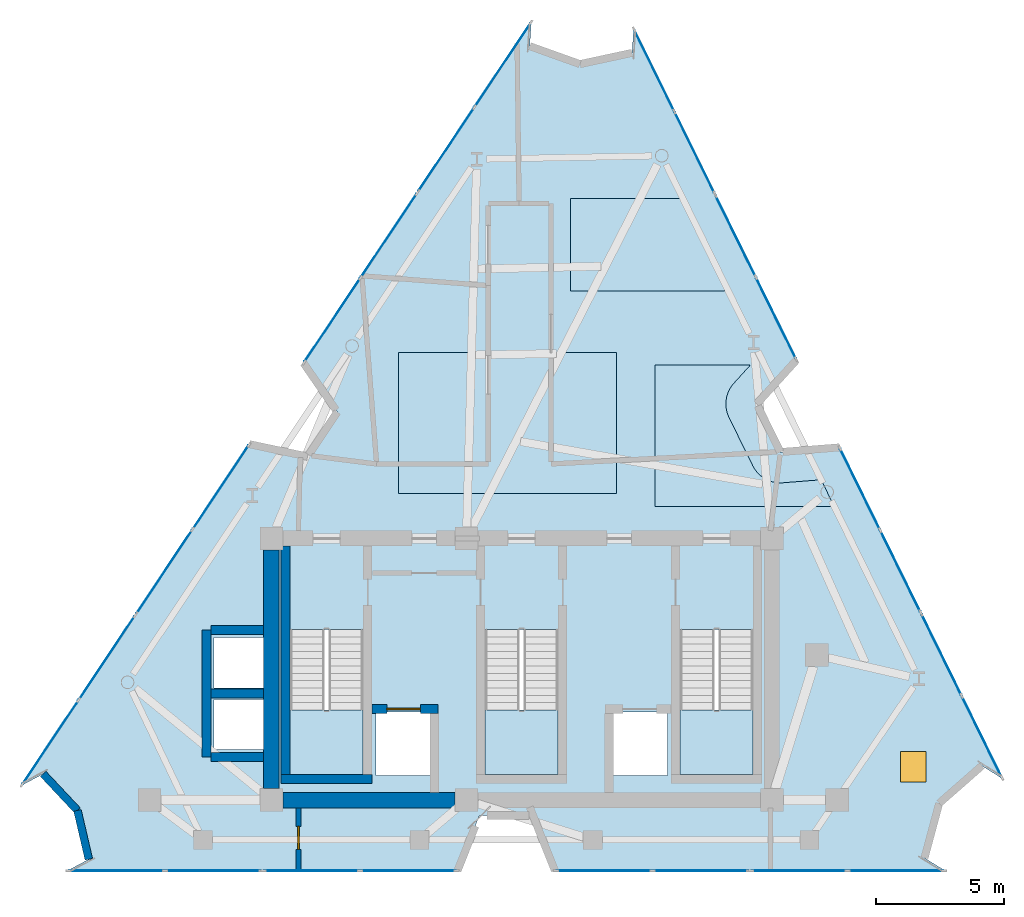
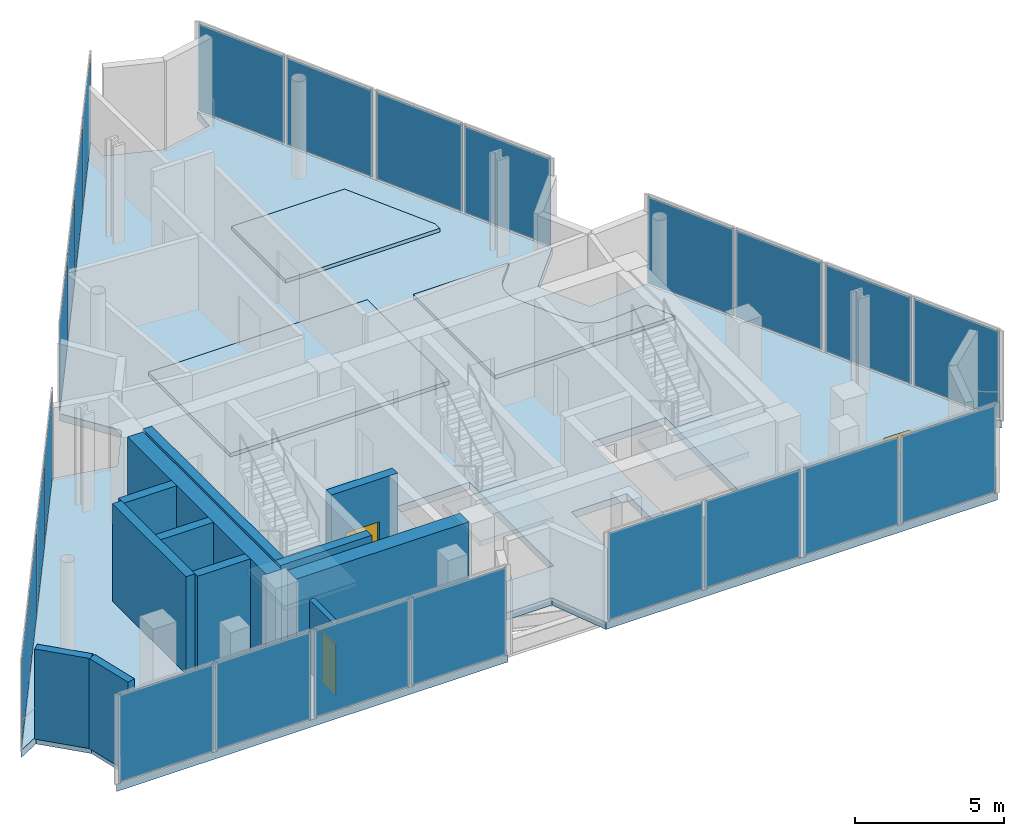
# One storey, part 5 of 9: 24 plates, 12 walls, 7 slabs, 3 doors, 3 openings, 15 elements without a shape of their own.
"""IFC4 building model written with IfcOpenShell, lengths in metres."""

from ifc_helpers import new_model, si_unit, direction, frame, frame_2d, origin, origin_2d, place, context, subcontext, project, spatial, polyline, rectangle, outline, extrude, material, layer, layer_set, type_object, element, fill, aggregate, save


model = new_model("IFC4")

# Units and contexts
model_context = context("Model", 3, precision=1e-05, world=origin(), true_north=direction((0.0, 1.0)))
body_context = subcontext(model_context, "Body", "Model", "MODEL_VIEW")
ifc_project = project(units=[si_unit("LENGTHUNIT", "METRE"), si_unit("AREAUNIT", "SQUARE_METRE"), si_unit("VOLUMEUNIT", "CUBIC_METRE"), si_unit("PLANEANGLEUNIT", "RADIAN"), si_unit("MASSUNIT", "GRAM", prefix="KILO")], contexts=[model_context])

# Site, building, storey
site_placement = place(None, origin())
site = spatial("IfcSite", under=ifc_project, at=site_placement, CompositionType="ELEMENT")
building_placement = place(site_placement, origin())
building = spatial("IfcBuilding", under=site, at=building_placement, Name="Almagre Mirador Tower", CompositionType="ELEMENT")
storey_placement = place(building_placement, frame((0.0, 0.0, 298.5)))
storey = spatial("IfcBuildingStorey", under=building, at=storey_placement, Name="L77", CompositionType="ELEMENT", Elevation=298.5)

# Curtain wall, plates
ifc_material_1 = material(Name="Black anodized aluminium", Category="aluminium")
ifc_layer_1 = layer(ifc_material_1, 0.2099609375)
ifc_layer_set_1 = layer_set([ifc_layer_1], Name="Black anodized aluminium")
curtain_wall_type = type_object("IfcCurtainWallType", Name="CW-CRN-SYS", PredefinedType="NOTDEFINED", material=ifc_layer_set_1)
curtain_wall_1_placement = place(storey_placement, origin())
curtain_wall_1 = element("IfcCurtainWall", 1, at=curtain_wall_1_placement, inside=storey, type_object=curtain_wall_type, Name="L77 curtain wall run 01", PredefinedType="NOTDEFINED")
ifc_material_2 = material(Name="Dark solar-control laminated hurricane glass", Category="glass")
ifc_layer_2 = layer(ifc_material_2, 0.030029296875)
ifc_layer_set_2 = layer_set([ifc_layer_2], Name="Dark solar-control laminated hurricane glass")
plate_type = type_object("IfcPlateType", Name="PLT-SPN-30", PredefinedType="CURTAIN_PANEL", material=ifc_layer_set_2)
plate_1_placement = place(storey_placement, frame((29.924072265625, 23.256103515625, 0.06494140625), z_axis=(0.0, 0.0, 1.0), x_axis=(0.555219875676, 0.831703606854, 0.0)))
plate_1 = element("IfcPlate", 2, at=plate_1_placement, type_object=plate_type, Name="CW-6 panel 1.1", PredefinedType="CURTAIN_PANEL", context=body_context, shape_type="SweptSolid", body=[
    extrude(rectangle(XDim=3.890625, YDim=0.030029296875, at=origin_2d()), origin(), (0.0, 0.0, 1.0), 3.570068359375),
])
plate_2_placement = place(storey_placement, frame((32.123046875, 26.55029296875, 0.06494140625), z_axis=(0.0, 0.0, 1.0), x_axis=(0.555219875676, 0.831703606854, 0.0)))
plate_2 = element("IfcPlate", 3, at=plate_2_placement, type_object=plate_type, Name="CW-6 panel 2.1", PredefinedType="CURTAIN_PANEL", context=body_context, shape_type="SweptSolid", body=[
    extrude(rectangle(XDim=3.890625, YDim=0.030029296875, at=origin_2d()), origin(), (0.0, 0.0, 1.0), 3.570068359375),
])
aggregate(curtain_wall_1, [plate_1, plate_2])

curtain_wall_2_placement = place(storey_placement, origin())
curtain_wall_2 = element("IfcCurtainWall", 4, at=curtain_wall_2_placement, inside=storey, type_object=curtain_wall_type, Name="L77 curtain wall run 02", PredefinedType="NOTDEFINED")
plate_3_placement = place(storey_placement, frame((34.361083984375, 29.902587890625, 0.06494140625), z_axis=(0.0, 0.0, 1.0), x_axis=(0.555219875676, 0.831703606854, 0.0)))
plate_3 = element("IfcPlate", 5, at=plate_3_placement, type_object=plate_type, Name="CW-6 panel 1.1", PredefinedType="CURTAIN_PANEL", context=body_context, shape_type="SweptSolid", body=[
    extrude(rectangle(XDim=3.890625, YDim=0.030029296875, at=origin_2d()), origin(), (0.0, 0.0, 1.0), 3.570068359375),
])
plate_4_placement = place(storey_placement, frame((36.56005859375, 33.19677734375, 0.06494140625), z_axis=(0.0, 0.0, 1.0), x_axis=(0.555219875676, 0.831703606854, 0.0)))
plate_4 = element("IfcPlate", 6, at=plate_4_placement, type_object=plate_type, Name="CW-6 panel 2.1", PredefinedType="CURTAIN_PANEL", context=body_context, shape_type="SweptSolid", body=[
    extrude(rectangle(XDim=3.890625, YDim=0.030029296875, at=origin_2d()), origin(), (0.0, 0.0, 1.0), 3.570068359375),
])
aggregate(curtain_wall_2, [plate_3, plate_4])

curtain_wall_3_placement = place(storey_placement, origin())
curtain_wall_3 = element("IfcCurtainWall", 7, at=curtain_wall_3_placement, inside=storey, type_object=curtain_wall_type, Name="L77 curtain wall run 03", PredefinedType="NOTDEFINED")
plate_5_placement = place(storey_placement, frame((42.466064453125, 32.98193359375, 0.06494140625), z_axis=(0.0, 0.0, 1.0), x_axis=(0.441307723516, -0.897355834196, 0.0)))
plate_5 = element("IfcPlate", 8, at=plate_5_placement, type_object=plate_type, Name="CW-6 panel 1.1", PredefinedType="CURTAIN_PANEL", context=body_context, shape_type="SweptSolid", body=[
    extrude(rectangle(XDim=3.490478515625, YDim=0.030029296875, at=origin_2d()), origin(), (0.0, 0.0, 1.0), 3.570068359375),
])
plate_6_placement = place(storey_placement, frame((44.037353515625, 29.786865234375, 0.06494140625), z_axis=(0.0, 0.0, 1.0), x_axis=(0.441307723516, -0.897355834196, 0.0)))
plate_6 = element("IfcPlate", 9, at=plate_6_placement, type_object=plate_type, Name="CW-6 panel 2.1", PredefinedType="CURTAIN_PANEL", context=body_context, shape_type="SweptSolid", body=[
    extrude(rectangle(XDim=3.490478515625, YDim=0.030029296875, at=origin_2d()), origin(), (0.0, 0.0, 1.0), 3.570068359375),
])
aggregate(curtain_wall_3, [plate_5, plate_6])

curtain_wall_4_placement = place(storey_placement, origin())
curtain_wall_4 = element("IfcCurtainWall", 10, at=curtain_wall_4_placement, inside=storey, type_object=curtain_wall_type, Name="L77 curtain wall run 04", PredefinedType="NOTDEFINED")
plate_7_placement = place(storey_placement, frame((45.6396484375, 26.529052734375, 0.06494140625), z_axis=(0.0, 0.0, 1.0), x_axis=(0.441307723516, -0.897355834196, 0.0)))
plate_7 = element("IfcPlate", 11, at=plate_7_placement, type_object=plate_type, Name="CW-6 panel 1.1", PredefinedType="CURTAIN_PANEL", context=body_context, shape_type="SweptSolid", body=[
    extrude(rectangle(XDim=3.490478515625, YDim=0.030029296875, at=origin_2d()), origin(), (0.0, 0.0, 1.0), 3.570068359375),
])
plate_8_placement = place(storey_placement, frame((47.2109375, 23.333984375, 0.06494140625), z_axis=(0.0, 0.0, 1.0), x_axis=(0.441307723516, -0.897355834196, 0.0)))
plate_8 = element("IfcPlate", 12, at=plate_8_placement, type_object=plate_type, Name="CW-6 panel 2.1", PredefinedType="CURTAIN_PANEL", context=body_context, shape_type="SweptSolid", body=[
    extrude(rectangle(XDim=3.490478515625, YDim=0.030029296875, at=origin_2d()), origin(), (0.0, 0.0, 1.0), 3.570068359375),
])
aggregate(curtain_wall_4, [plate_7, plate_8])

curtain_wall_5_placement = place(storey_placement, origin())
curtain_wall_5 = element("IfcCurtainWall", 13, at=curtain_wall_5_placement, inside=storey, type_object=curtain_wall_type, Name="L77 curtain wall run 05", PredefinedType="NOTDEFINED")
plate_9_placement = place(storey_placement, frame((50.489013671875, 16.666015625, 0.06494140625), z_axis=(0.0, 0.0, 1.0), x_axis=(0.441307723516, -0.897355834196, 0.0)))
plate_9 = element("IfcPlate", 14, at=plate_9_placement, type_object=plate_type, Name="CW-6 panel 1.1", PredefinedType="CURTAIN_PANEL", context=body_context, shape_type="SweptSolid", body=[
    extrude(rectangle(XDim=3.490478515625, YDim=0.030029296875, at=origin_2d()), origin(), (0.0, 0.0, 1.0), 3.570068359375),
])
plate_10_placement = place(storey_placement, frame((52.060302734375, 13.470947265625, 0.06494140625), z_axis=(0.0, 0.0, 1.0), x_axis=(0.441307723516, -0.897355834196, 0.0)))
plate_10 = element("IfcPlate", 15, at=plate_10_placement, type_object=plate_type, Name="CW-6 panel 2.1", PredefinedType="CURTAIN_PANEL", context=body_context, shape_type="SweptSolid", body=[
    extrude(rectangle(XDim=3.490478515625, YDim=0.030029296875, at=origin_2d()), origin(), (0.0, 0.0, 1.0), 3.570068359375),
])
aggregate(curtain_wall_5, [plate_9, plate_10])

curtain_wall_6_placement = place(storey_placement, origin())
curtain_wall_6 = element("IfcCurtainWall", 16, at=curtain_wall_6_placement, inside=storey, type_object=curtain_wall_type, Name="L77 curtain wall run 06", PredefinedType="NOTDEFINED")
plate_11_placement = place(storey_placement, frame((53.66259765625, 10.213134765625, 0.06494140625), z_axis=(0.0, 0.0, 1.0), x_axis=(0.441307723516, -0.897355834196, 0.0)))
plate_11 = element("IfcPlate", 17, at=plate_11_placement, type_object=plate_type, Name="CW-6 panel 1.1", PredefinedType="CURTAIN_PANEL", context=body_context, shape_type="SweptSolid", body=[
    extrude(rectangle(XDim=3.490478515625, YDim=0.030029296875, at=origin_2d()), origin(), (0.0, 0.0, 1.0), 3.570068359375),
])
plate_12_placement = place(storey_placement, frame((55.23388671875, 7.01806640625, 0.06494140625), z_axis=(0.0, 0.0, 1.0), x_axis=(0.441307723516, -0.897355834196, 0.0)))
plate_12 = element("IfcPlate", 18, at=plate_12_placement, type_object=plate_type, Name="CW-6 panel 2.1", PredefinedType="CURTAIN_PANEL", context=body_context, shape_type="SweptSolid", body=[
    extrude(rectangle(XDim=3.490478515625, YDim=0.030029296875, at=origin_2d()), origin(), (0.0, 0.0, 1.0), 3.570068359375),
])
aggregate(curtain_wall_6, [plate_11, plate_12])

curtain_wall_7_placement = place(storey_placement, origin())
curtain_wall_7 = element("IfcCurtainWall", 19, at=curtain_wall_7_placement, inside=storey, type_object=curtain_wall_type, Name="L77 curtain wall run 07", PredefinedType="NOTDEFINED")
plate_13_placement = place(storey_placement, frame((51.882568359375, 1.800048828125, 0.06494140625), z_axis=(0.0, 0.0, 1.0), x_axis=(-1.0, 0.0, 0.0)))
plate_13 = element("IfcPlate", 20, at=plate_13_placement, type_object=plate_type, Name="CW-6 panel 1.1", PredefinedType="CURTAIN_PANEL", context=body_context, shape_type="SweptSolid", body=[
    extrude(rectangle(XDim=3.695068359375, YDim=0.030029296875, at=origin_2d()), origin(), (0.0, 0.0, 1.0), 3.570068359375),
])
plate_14_placement = place(storey_placement, frame((48.117431640625, 1.800048828125, 0.06494140625), z_axis=(0.0, 0.0, 1.0), x_axis=(-1.0, 0.0, 0.0)))
plate_14 = element("IfcPlate", 21, at=plate_14_placement, type_object=plate_type, Name="CW-6 panel 2.1", PredefinedType="CURTAIN_PANEL", context=body_context, shape_type="SweptSolid", body=[
    extrude(rectangle(XDim=3.695068359375, YDim=0.030029296875, at=origin_2d()), origin(), (0.0, 0.0, 1.0), 3.570068359375),
])
aggregate(curtain_wall_7, [plate_13, plate_14])

curtain_wall_8_placement = place(storey_placement, origin())
curtain_wall_8 = element("IfcCurtainWall", 22, at=curtain_wall_8_placement, inside=storey, type_object=curtain_wall_type, Name="L77 curtain wall run 08", PredefinedType="NOTDEFINED")
plate_15_placement = place(storey_placement, frame((44.282470703125, 1.800048828125, 0.06494140625), z_axis=(0.0, 0.0, 1.0), x_axis=(-1.0, 0.0, 0.0)))
plate_15 = element("IfcPlate", 23, at=plate_15_placement, type_object=plate_type, Name="CW-6 panel 1.1", PredefinedType="CURTAIN_PANEL", context=body_context, shape_type="SweptSolid", body=[
    extrude(rectangle(XDim=3.695068359375, YDim=0.030029296875, at=origin_2d()), origin(), (0.0, 0.0, 1.0), 3.570068359375),
])
plate_16_placement = place(storey_placement, frame((40.517578125, 1.800048828125, 0.06494140625), z_axis=(0.0, 0.0, 1.0), x_axis=(-1.0, 0.0, 0.0)))
plate_16 = element("IfcPlate", 24, at=plate_16_placement, type_object=plate_type, Name="CW-6 panel 2.1", PredefinedType="CURTAIN_PANEL", context=body_context, shape_type="SweptSolid", body=[
    extrude(rectangle(XDim=3.695068359375, YDim=0.030029296875, at=origin_2d()), origin(), (0.0, 0.0, 1.0), 3.570068359375),
])
aggregate(curtain_wall_8, [plate_15, plate_16])

curtain_wall_9_placement = place(storey_placement, origin())
curtain_wall_9 = element("IfcCurtainWall", 25, at=curtain_wall_9_placement, inside=storey, type_object=curtain_wall_type, Name="L77 curtain wall run 09", PredefinedType="NOTDEFINED")
plate_17_placement = place(storey_placement, frame((32.882568359375, 1.800048828125, 0.06494140625), z_axis=(0.0, 0.0, 1.0), x_axis=(-1.0, 0.0, 0.0)))
plate_17 = element("IfcPlate", 26, at=plate_17_placement, type_object=plate_type, Name="CW-6 panel 1.1", PredefinedType="CURTAIN_PANEL", context=body_context, shape_type="SweptSolid", body=[
    extrude(rectangle(XDim=3.695068359375, YDim=0.030029296875, at=origin_2d()), origin(), (0.0, 0.0, 1.0), 3.570068359375),
])
plate_18_placement = place(storey_placement, frame((29.117431640625, 1.800048828125, 0.06494140625), z_axis=(0.0, 0.0, 1.0), x_axis=(-1.0, 0.0, 0.0)))
plate_18 = element("IfcPlate", 27, at=plate_18_placement, type_object=plate_type, Name="CW-6 panel 2.1", PredefinedType="CURTAIN_PANEL", context=body_context, shape_type="SweptSolid", body=[
    extrude(rectangle(XDim=3.695068359375, YDim=0.030029296875, at=origin_2d()), origin(), (0.0, 0.0, 1.0), 3.570068359375),
])
aggregate(curtain_wall_9, [plate_17, plate_18])

curtain_wall_10_placement = place(storey_placement, origin())
curtain_wall_10 = element("IfcCurtainWall", 28, at=curtain_wall_10_placement, inside=storey, type_object=curtain_wall_type, Name="L77 curtain wall run 10", PredefinedType="NOTDEFINED")
plate_19_placement = place(storey_placement, frame((25.282470703125, 1.800048828125, 0.06494140625), z_axis=(0.0, 0.0, 1.0), x_axis=(-1.0, 0.0, 0.0)))
plate_19 = element("IfcPlate", 29, at=plate_19_placement, type_object=plate_type, Name="CW-6 panel 1.1", PredefinedType="CURTAIN_PANEL", context=body_context, shape_type="SweptSolid", body=[
    extrude(rectangle(XDim=3.695068359375, YDim=0.030029296875, at=origin_2d()), origin(), (0.0, 0.0, 1.0), 3.570068359375),
])
plate_20_placement = place(storey_placement, frame((21.517578125, 1.800048828125, 0.06494140625), z_axis=(0.0, 0.0, 1.0), x_axis=(-1.0, 0.0, 0.0)))
plate_20 = element("IfcPlate", 30, at=plate_20_placement, type_object=plate_type, Name="CW-6 panel 2.1", PredefinedType="CURTAIN_PANEL", context=body_context, shape_type="SweptSolid", body=[
    extrude(rectangle(XDim=3.695068359375, YDim=0.030029296875, at=origin_2d()), origin(), (0.0, 0.0, 1.0), 3.570068359375),
])
aggregate(curtain_wall_10, [plate_19, plate_20])

curtain_wall_11_placement = place(storey_placement, origin())
curtain_wall_11 = element("IfcCurtainWall", 31, at=curtain_wall_11_placement, inside=storey, type_object=curtain_wall_type, Name="L77 curtain wall run 11", PredefinedType="NOTDEFINED")
plate_21_placement = place(storey_placement, frame((18.93994140625, 6.80322265625, 0.06494140625), z_axis=(0.0, 0.0, 1.0), x_axis=(0.555219875676, 0.831703606854, 0.0)))
plate_21 = element("IfcPlate", 32, at=plate_21_placement, type_object=plate_type, Name="CW-6 panel 1.1", PredefinedType="CURTAIN_PANEL", context=body_context, shape_type="SweptSolid", body=[
    extrude(rectangle(XDim=3.890625, YDim=0.030029296875, at=origin_2d()), origin(), (0.0, 0.0, 1.0), 3.570068359375),
])
plate_22_placement = place(storey_placement, frame((21.138916015625, 10.097412109375, 0.06494140625), z_axis=(0.0, 0.0, 1.0), x_axis=(0.555219875676, 0.831703606854, 0.0)))
plate_22 = element("IfcPlate", 33, at=plate_22_placement, type_object=plate_type, Name="CW-6 panel 2.1", PredefinedType="CURTAIN_PANEL", context=body_context, shape_type="SweptSolid", body=[
    extrude(rectangle(XDim=3.890625, YDim=0.030029296875, at=origin_2d()), origin(), (0.0, 0.0, 1.0), 3.570068359375),
])
aggregate(curtain_wall_11, [plate_21, plate_22])

curtain_wall_12_placement = place(storey_placement, origin())
curtain_wall_12 = element("IfcCurtainWall", 34, at=curtain_wall_12_placement, inside=storey, type_object=curtain_wall_type, Name="L77 curtain wall run 12", PredefinedType="NOTDEFINED")
plate_23_placement = place(storey_placement, frame((23.376953125, 13.44970703125, 0.06494140625), z_axis=(0.0, 0.0, 1.0), x_axis=(0.555219875676, 0.831703606854, 0.0)))
plate_23 = element("IfcPlate", 35, at=plate_23_placement, type_object=plate_type, Name="CW-6 panel 1.1", PredefinedType="CURTAIN_PANEL", context=body_context, shape_type="SweptSolid", body=[
    extrude(rectangle(XDim=3.890625, YDim=0.030029296875, at=origin_2d()), origin(), (0.0, 0.0, 1.0), 3.570068359375),
])
plate_24_placement = place(storey_placement, frame((25.575927734375, 16.743896484375, 0.06494140625), z_axis=(0.0, 0.0, 1.0), x_axis=(0.555219875676, 0.831703606854, 0.0)))
plate_24 = element("IfcPlate", 36, at=plate_24_placement, type_object=plate_type, Name="CW-6 panel 2.1", PredefinedType="CURTAIN_PANEL", context=body_context, shape_type="SweptSolid", body=[
    extrude(rectangle(XDim=3.890625, YDim=0.030029296875, at=origin_2d()), origin(), (0.0, 0.0, 1.0), 3.570068359375),
])
aggregate(curtain_wall_12, [plate_23, plate_24])

# Slab, opening, door
ifc_material_3 = material(Name="Concrete C45/55", Category="concrete")
ifc_layer_3 = layer(ifc_material_3, 0.300048828125)
ifc_layer_set_3 = layer_set([ifc_layer_3], Name="Concrete C45/55")
slab_type_1 = type_object("IfcSlabType", Name="SLB-FLR-300", PredefinedType="FLOOR", material=ifc_layer_set_3)
slab_1_placement = place(storey_placement, frame((0.0, 0.0, -0.300048828125)))
slab_1 = element("IfcSlab", 37, at=slab_1_placement, inside=storey, type_object=slab_type_1, Name="L77 structural floor slab", PredefinedType="FLOOR", context=body_context, shape_type="SweptSolid", body=[
    extrude(outline(polyline([(17.821044921875, 5.126953125), (18.654052734375, 5.572021484375), (19.990966796875, 4.14794921875), (20.43310546875, 2.24609375), (19.60009765625, 1.800048828125), (34.800048828125, 1.800048828125), (35.655029296875, 3.949951171875), (37.7451171875, 3.949951171875), (38.60009765625, 1.800048828125), (53.800048828125, 1.800048828125), (52.998046875, 2.299072265625), (53.572021484375, 4.431884765625), (55.23291015625, 5.888916015625), (56.034912109375, 5.388916015625), (49.68798828125, 18.294921875), (47.382080078125, 18.113037109375), (46.4599609375, 19.989013671875), (48.011962890625, 21.705078125), (41.6650390625, 34.611083984375), (41.60302734375, 33.66796875), (39.572998046875, 33.23095703125), (37.616943359375, 33.929931640625), (37.678955078125, 34.873046875), (28.804931640625, 21.580078125), (30.117919921875, 19.675048828125), (28.9580078125, 17.93701171875), (26.695068359375, 18.419921875), (17.821044921875, 5.126953125)]), holes=[polyline([(43.47509765625, 5.550048828125), (43.47509765625, 11.196044921875), (46.324951171875, 11.196044921875), (46.324951171875, 5.550048828125), (43.47509765625, 5.550048828125)]), polyline([(42.97998046875, 5.52001953125), (40.820068359375, 5.52001953125), (40.820068359375, 7.97998046875), (42.97998046875, 7.97998046875), (42.97998046875, 5.52001953125)]), polyline([(35.875, 5.550048828125), (35.875, 11.196044921875), (38.72509765625, 11.196044921875), (38.72509765625, 5.550048828125), (35.875, 5.550048828125)]), polyline([(33.780029296875, 7.97998046875), (33.780029296875, 5.52001953125), (31.6201171875, 5.52001953125), (31.6201171875, 7.97998046875), (33.780029296875, 7.97998046875)]), polyline([(28.27490234375, 5.550048828125), (28.27490234375, 11.196044921875), (31.125, 11.196044921875), (31.125, 5.550048828125), (28.27490234375, 5.550048828125)]), polyline([(27.3798828125, 6.52001953125), (25.320068359375, 6.52001953125), (25.320068359375, 8.47998046875), (27.3798828125, 8.47998046875), (27.3798828125, 6.52001953125)]), polyline([(27.3798828125, 8.919921875), (25.320068359375, 8.919921875), (25.320068359375, 10.8798828125), (27.3798828125, 10.8798828125), (27.3798828125, 8.919921875)])]), origin(), (0.0, 0.0, 1.0), 0.300048828125),
])
opening_1_placement = place(slab_1_placement, frame((52.56005859375, 5.85498046875, 0.0)))
opening_1 = element("IfcOpeningElement", 38, at=opening_1_placement, cuts=slab_1, Name="Opening RH-01", PredefinedType="OPENING", context=body_context, shape_type="SweptSolid", body=[
    extrude(rectangle(XDim=1.0, YDim=1.199951171875, at=origin_2d()), origin(), (0.0, 0.0, 1.0), 0.300048828125),
])
ifc_material_4 = material(Name="Insulated aluminium roof hatch", Category="aluminium")
door_type_1 = type_object("IfcDoorType", Name="DOR-HAT-1000X1200", OperationType="SINGLE_SWING_LEFT", PredefinedType="TRAPDOOR", material=ifc_material_4)
door_1_placement = place(opening_1_placement, frame((0.0, 0.0, 0.25)))
door_1 = element("IfcDoor", 39, at=door_1_placement, inside=storey, type_object=door_type_1, Name="DR-2296 L77 mechanical access hatch RH-01", OperationType="SINGLE_SWING_LEFT", OverallHeight=1.199951171875, OverallWidth=1.0, PredefinedType="TRAPDOOR", context=body_context, shape_type="SweptSolid", body=[
    extrude(rectangle(XDim=1.0, YDim=1.199951171875, at=origin_2d()), origin(), (0.0, 0.0, 1.0), 0.050048828125),
])
fill(opening_1, door_1)

# Stair, slab
ifc_material_5 = material(Name="Concrete C45/55", Category="concrete")
stair_type = type_object("IfcStairType", Name="STR-DL-4000", PredefinedType="HALF_TURN_STAIR", material=ifc_material_5)
stair_1_placement = place(storey_placement, origin())
stair_1 = element("IfcStair", 40, at=stair_1_placement, inside=storey, type_object=stair_type, Name="L77 Protected exit stair ST-1", PredefinedType="HALF_TURN_STAIR")
ifc_material_6 = material(Name="Concrete C45/55", Category="concrete")
ifc_layer_4 = layer(ifc_material_6, 0.199951171875)
ifc_layer_set_4 = layer_set([ifc_layer_4], Name="Concrete C45/55")
slab_type_2 = type_object("IfcSlabType", Name="SLB-LND-200", PredefinedType="LANDING", material=ifc_layer_set_4)
slab_2_placement = place(storey_placement, frame((0.0, 0.0, 1.800048828125)))
slab_2 = element("IfcSlab", 41, at=slab_2_placement, type_object=slab_type_2, Name="ST-1 landing 1", PredefinedType="LANDING", context=body_context, shape_type="SweptSolid", body=[
    extrude(outline(polyline([(28.27490234375, 8.06494140625), (28.27490234375, 5.550048828125), (31.125, 5.550048828125), (31.125, 8.06494140625), (28.27490234375, 8.06494140625)])), origin(), (0.0, 0.0, 1.0), 0.199951171875),
])
aggregate(stair_1, [slab_2])

stair_2_placement = place(storey_placement, origin())
stair_2 = element("IfcStair", 42, at=stair_2_placement, inside=storey, type_object=stair_type, Name="L77 Protected exit stair ST-2", PredefinedType="HALF_TURN_STAIR")
slab_3_placement = place(storey_placement, frame((0.0, 0.0, 1.800048828125)))
slab_3 = element("IfcSlab", 43, at=slab_3_placement, type_object=slab_type_2, Name="ST-2 landing 1", PredefinedType="LANDING", context=body_context, shape_type="SweptSolid", body=[
    extrude(outline(polyline([(35.875, 8.06494140625), (35.875, 5.550048828125), (38.72509765625, 5.550048828125), (38.72509765625, 8.06494140625), (35.875, 8.06494140625)])), origin(), (0.0, 0.0, 1.0), 0.199951171875),
])
aggregate(stair_2, [slab_3])

stair_3_placement = place(storey_placement, origin())
stair_3 = element("IfcStair", 44, at=stair_3_placement, inside=storey, type_object=stair_type, Name="L77 Protected exit stair ST-3", PredefinedType="HALF_TURN_STAIR")
slab_4_placement = place(storey_placement, frame((0.0, 0.0, 1.800048828125)))
slab_4 = element("IfcSlab", 45, at=slab_4_placement, type_object=slab_type_2, Name="ST-3 landing 1", PredefinedType="LANDING", context=body_context, shape_type="SweptSolid", body=[
    extrude(outline(polyline([(43.47509765625, 8.06494140625), (43.47509765625, 5.550048828125), (46.324951171875, 5.550048828125), (46.324951171875, 8.06494140625), (43.47509765625, 8.06494140625)])), origin(), (0.0, 0.0, 1.0), 0.199951171875),
])
aggregate(stair_3, [slab_4])

# Slabs
ifc_material_7 = material(Name="Concrete C45/55", Category="concrete")
ifc_layer_5 = layer(ifc_material_7, 0.14990234375)
ifc_layer_set_5 = layer_set([ifc_layer_5], Name="Concrete C45/55")
slab_type_3 = type_object("IfcSlabType", Name="SLB-PLN-150", PredefinedType="FLOOR", material=ifc_layer_set_5)
slab_5_placement = place(storey_placement, origin())
element("IfcSlab", 46, at=slab_5_placement, inside=storey, type_object=slab_type_3, Name="L77 Cooling Tower Plant Plinth", PredefinedType="FLOOR", context=body_context, shape_type="SweptSolid", body=[
    extrude(outline(polyline([(49.4794921875, 16.0), (48.970703125, 17.03466796875), (47.476318359375, 16.916748046875), (47.357177734375, 16.913330078125), (47.23828125, 16.921630859375), (47.120849609375, 16.94189453125), (47.005859375, 16.973388671875), (46.89453125, 17.016357421875), (46.7880859375, 17.0703125), (46.687744140625, 17.13427734375), (46.593994140625, 17.2080078125), (46.508056640625, 17.290771484375), (46.430908203125, 17.38134765625), (46.36279296875, 17.4794921875), (46.304931640625, 17.583740234375), (45.383056640625, 19.459716796875), (45.3359375, 19.569091796875), (45.2998046875, 19.6826171875), (45.275146484375, 19.79931640625), (45.26220703125, 19.917724609375), (45.260986328125, 20.036865234375), (45.271484375, 20.155517578125), (45.2939453125, 20.272705078125), (45.327880859375, 20.38671875), (45.372802734375, 20.4970703125), (45.4287109375, 20.602294921875), (45.49462890625, 20.70166015625), (45.570068359375, 20.7939453125), (46.20849609375, 21.5), (42.5, 21.5), (42.5, 16.0), (49.4794921875, 16.0)])), origin(), (0.0, 0.0, 1.0), 0.14990234375),
])
slab_6_placement = place(storey_placement, origin())
element("IfcSlab", 47, at=slab_6_placement, inside=storey, type_object=slab_type_3, Name="L77 Air Handling Unit Plant Plinth", PredefinedType="FLOOR", context=body_context, shape_type="SweptSolid", body=[
    extrude(outline(polyline([(32.5, 16.5), (41.0, 16.5), (41.0, 22.0), (32.5, 22.0), (32.5, 16.5)])), origin(), (0.0, 0.0, 1.0), 0.14990234375),
])
slab_7_placement = place(storey_placement, origin())
element("IfcSlab", 48, at=slab_7_placement, inside=storey, type_object=slab_type_3, Name="L77 Domestic Booster Pump Plant Plinth", PredefinedType="FLOOR", context=body_context, shape_type="SweptSolid", body=[
    extrude(outline(polyline([(45.199951171875, 24.70361328125), (43.578857421875, 28.0), (39.199951171875, 28.0), (39.199951171875, 24.39990234375), (45.199951171875, 24.39990234375), (45.199951171875, 24.70361328125)])), origin(), (0.0, 0.0, 1.0), 0.14990234375),
])

# Walls
ifc_material_8 = material(Name="Precast concrete C50/60", Category="concrete")
ifc_layer_6 = layer(ifc_material_8, 0.300048828125)
ifc_layer_set_6 = layer_set([ifc_layer_6], Name="Precast concrete C50/60")
wall_type_1 = type_object("IfcWallType", Name="WAL-EXT-300", PredefinedType="SOLIDWALL", material=ifc_layer_set_6)
wall_1_placement = place(storey_placement, frame((20.43310546875, 2.24609375, 0.0), z_axis=(0.0, 0.0, 1.0), x_axis=(-0.226439011681, 0.974025345661, 0.0)))
element("IfcWall", 49, at=wall_1_placement, inside=storey, type_object=wall_type_1, Name="L77 expressed almagre precast frame wall 14", PredefinedType="SOLIDWALL", context=body_context, shape_type="SweptSolid", body=[
    extrude(rectangle(XDim=1.95263671875, YDim=0.300048828125, at=frame_2d((0.976318359375, 0.0))), origin(), (0.0, 0.0, 1.0), 3.699951171875),
])
wall_2_placement = place(storey_placement, frame((19.990966796875, 4.14794921875, 0.0), z_axis=(0.0, 0.0, 1.0), x_axis=(-0.68444404364, 0.729065395645, 0.0)))
element("IfcWall", 50, at=wall_2_placement, inside=storey, type_object=wall_type_1, Name="L77 expressed almagre precast frame wall 15", PredefinedType="SOLIDWALL", context=body_context, shape_type="SweptSolid", body=[
    extrude(rectangle(XDim=1.953369140625, YDim=0.300048828125, at=frame_2d((0.9765625, 0.0))), origin(), (0.0, 0.0, 1.0), 3.699951171875),
])

# Wall, opening, door
ifc_material_9 = material(Name="Gypsum acoustic stud partition", Category="other")
ifc_layer_7 = layer(ifc_material_9, 0.199951171875)
ifc_layer_set_7 = layer_set([ifc_layer_7], Name="Gypsum acoustic stud partition")
wall_type_2 = type_object("IfcWallType", Name="WAL-PRT-200-EI60", PredefinedType="PARTITIONING", material=ifc_layer_set_7)
wall_3_placement = place(storey_placement, frame((28.60009765625, 4.25, 0.0), z_axis=(0.0, 0.0, 1.0), x_axis=(0.0, -1.0, 0.0)))
wall_3 = element("IfcWall", 51, at=wall_3_placement, inside=storey, type_object=wall_type_2, Name="L77 interior partition 005", PredefinedType="PARTITIONING", context=body_context, shape_type="SweptSolid", body=[
    extrude(rectangle(XDim=2.449951171875, YDim=0.199951171875, at=frame_2d((1.22509765625, 0.0))), origin(), (0.0, 0.0, 1.0), 2.97705078125),
])
opening_2_placement = place(wall_3_placement, frame((0.71728515625, 0.0, 0.0)))
opening_2 = element("IfcOpeningElement", 52, at=opening_2_placement, cuts=wall_3, Name="Opening ID-03", PredefinedType="OPENING", context=body_context, shape_type="SweptSolid", body=[
    extrude(rectangle(XDim=0.89990234375, YDim=2.10009765625, at=frame_2d((0.449951171875, 1.050048828125))), frame((0.0, 0.110098, 0.0), z_axis=(0.0, -1.0, 0.0), x_axis=(1.0, 0.0, 0.0)), (0.0, 0.0, 1.0), 0.219951),
])
ifc_material_10 = material(Name="Fire-rated hollow steel", Category="steel")
door_type_2 = type_object("IfcDoorType", Name="DOR-FD60-900X2100", OperationType="NOTDEFINED", PredefinedType="DOOR", material=ifc_material_10)
door_2_placement = place(opening_2_placement, origin())
door_2 = element("IfcDoor", 53, at=door_2_placement, inside=storey, type_object=door_type_2, Name="DR-2290 L77 interior door L77-KPLT2 to L77-KPLT3", OperationType="SINGLE_SWING_RIGHT", OverallHeight=2.10009765625, OverallWidth=0.89990234375, PredefinedType="DOOR", context=body_context, shape_type="SweptSolid", body=[
    extrude(rectangle(XDim=0.89990234375, YDim=2.10009765625, at=frame_2d((0.449951171875, 1.050048828125))), frame((0.0, 0.02490234375, 0.0), z_axis=(0.0, -1.0, 0.0), x_axis=(1.0, 0.0, 0.0)), (0.0, 0.0, 1.0), 0.050048828125),
])
fill(opening_2, door_2)

# Walls
ifc_material_11 = material(Name="Concrete C60/75", Category="concrete")
ifc_layer_8 = layer(ifc_material_11, 0.35009765625)
ifc_layer_set_8 = layer_set([ifc_layer_8], Name="Concrete C60/75")
wall_type_3 = type_object("IfcWallType", Name="WAL-SHF-350", PredefinedType="SOLIDWALL", material=ifc_layer_set_8)
wall_4_placement = place(storey_placement, frame((28.10009765625, 5.199951171875, 0.0), z_axis=(0.0, 0.0, 1.0), x_axis=(0.0, 1.0, 0.0)))
element("IfcWall", 54, at=wall_4_placement, inside=storey, type_object=wall_type_3, Name="L77 shaft wall ST1-W", PredefinedType="SOLIDWALL", context=body_context, shape_type="SweptSolid", body=[
    extrude(rectangle(XDim=9.25, YDim=0.35009765625, at=frame_2d((4.625, 0.0))), origin(), (0.0, 0.0, 1.0), 4.0),
])
wall_5_placement = place(storey_placement, frame((27.925048828125, 5.375, 0.0), z_axis=(0.0, 0.0, 1.0), x_axis=(1.0, 0.0, 0.0)))
element("IfcWall", 55, at=wall_5_placement, inside=storey, type_object=wall_type_3, Name="L77 shaft wall ST1-S", PredefinedType="SOLIDWALL", context=body_context, shape_type="SweptSolid", body=[
    extrude(rectangle(XDim=3.550048828125, YDim=0.35009765625, at=frame_2d((1.77490234375, 0.0))), origin(), (0.0, 0.0, 1.0), 4.0),
])

# Wall, opening, door
wall_6_placement = place(storey_placement, frame((31.47509765625, 8.10009765625, 0.0), z_axis=(0.0, 0.0, 1.0), x_axis=(1.0, 0.0, 0.0)))
wall_6 = element("IfcWall", 56, at=wall_6_placement, inside=storey, type_object=wall_type_3, Name="L77 shaft wall FSAE1-N", PredefinedType="SOLIDWALL", context=body_context, shape_type="SweptSolid", body=[
    extrude(rectangle(XDim=2.574951171875, YDim=0.35009765625, at=frame_2d((1.28759765625, 0.0))), origin(), (0.0, 0.0, 1.0), 4.0),
])
opening_3_placement = place(wall_6_placement, frame((0.574951171875, 0.0, 0.0)))
opening_3 = element("IfcOpeningElement", 57, at=opening_3_placement, cuts=wall_6, Name="Opening LD-03", PredefinedType="OPENING", context=body_context, shape_type="SweptSolid", body=[
    extrude(rectangle(XDim=1.300048828125, YDim=2.25, at=frame_2d((0.64990234375, 1.125))), frame((0.0, 0.185049, 0.0), z_axis=(0.0, -1.0, 0.0), x_axis=(1.0, 0.0, 0.0)), (0.0, 0.0, 1.0), 0.370098),
])
ifc_material_12 = material(Name="Hollow stainless steel", Category="steel")
door_type_3 = type_object("IfcDoorType", Name="DOR-LD-1300X2250", OperationType="DOUBLE_DOOR_SLIDING", PredefinedType="DOOR", material=ifc_material_12)
door_3_placement = place(opening_3_placement, origin())
door_3 = element("IfcDoor", 58, at=door_3_placement, inside=storey, type_object=door_type_3, Name="DR-2291 L77 FSAE-1 lift landing door", OperationType="DOUBLE_DOOR_SLIDING", OverallHeight=2.25, OverallWidth=1.300048828125, PredefinedType="DOOR", context=body_context, shape_type="SweptSolid", body=[
    extrude(rectangle(XDim=1.300048828125, YDim=2.25, at=frame_2d((0.64990234375, 1.125))), frame((0.0, 0.02490234375, 0.0), z_axis=(0.0, -1.0, 0.0), x_axis=(1.0, 0.0, 0.0)), (0.0, 0.0, 1.0), 0.050048828125),
])
fill(opening_3, door_3)

# Walls
wall_7_placement = place(storey_placement, frame((25.02490234375, 6.22509765625, 0.0), z_axis=(0.0, 0.0, 1.0), x_axis=(0.0, 1.0, 0.0)))
element("IfcWall", 59, at=wall_7_placement, inside=storey, type_object=wall_type_3, Name="L77 shaft wall OL-W", PredefinedType="SOLIDWALL", context=body_context, shape_type="SweptSolid", body=[
    extrude(rectangle(XDim=4.949951171875, YDim=0.35009765625, at=frame_2d((2.47509765625, 0.0))), origin(), (0.0, 0.0, 1.0), 4.0),
])
for number, where, z_axis, x_axis, name in (
    (60, (25.199951171875, 6.22509765625, 0.0), (0.0, 0.0, 1.0), (1.0, 0.0, 0.0), "L77 shaft wall OL-S"),
    (61, (25.199951171875, 8.699951171875, 0.0), (0.0, 0.0, 1.0), (1.0, 0.0, 0.0), "L77 shaft wall OL-M"),
    (62, (25.199951171875, 11.175048828125, 0.0), (0.0, 0.0, 1.0), (1.0, 0.0, 0.0), "L77 shaft wall OL-N"),
):
    element("IfcWall", number, at=place(storey_placement, frame(where, z_axis=z_axis, x_axis=x_axis)), inside=storey, type_object=wall_type_3, Name=name, PredefinedType="SOLIDWALL", context=body_context, shape_type="SweptSolid", body=[
        extrude(rectangle(XDim=2.050048828125, YDim=0.35009765625, at=frame_2d((1.02490234375, 0.0))), origin(), (0.0, 0.0, 1.0), 4.0),
    ])
ifc_material_13 = material(Name="Concrete C60/75", Category="concrete")
ifc_layer_9 = layer(ifc_material_13, 0.60009765625)
ifc_layer_set_9 = layer_set([ifc_layer_9], Name="Concrete C60/75")
wall_type_4 = type_object("IfcWallType", Name="WAL-SHR-600", PredefinedType="SHEAR", material=ifc_layer_set_9)
wall_8_placement = place(storey_placement, frame((28.0, 4.550048828125, 0.0), z_axis=(0.0, 0.0, 1.0), x_axis=(1.0, 0.0, 0.0)))
element("IfcWall", 63, at=wall_8_placement, inside=storey, type_object=wall_type_4, Name="L77 core shear wall S1", PredefinedType="SHEAR", context=body_context, shape_type="SweptSolid", body=[
    extrude(rectangle(XDim=6.699951171875, YDim=0.60009765625, at=frame_2d((3.35009765625, 0.0))), origin(), (0.0, 0.0, 1.0), 4.0),
])
wall_9_placement = place(storey_placement, frame((27.550048828125, 5.0, 0.0), z_axis=(0.0, 0.0, 1.0), x_axis=(0.0, 1.0, 0.0)))
element("IfcWall", 64, at=wall_9_placement, inside=storey, type_object=wall_type_4, Name="L77 core shear wall W1", PredefinedType="SHEAR", context=body_context, shape_type="SweptSolid", body=[
    extrude(rectangle(XDim=9.300048828125, YDim=0.60009765625, at=frame_2d((4.64990234375, 0.0))), origin(), (0.0, 0.0, 1.0), 4.0),
])

save(model, "model.ifc")
